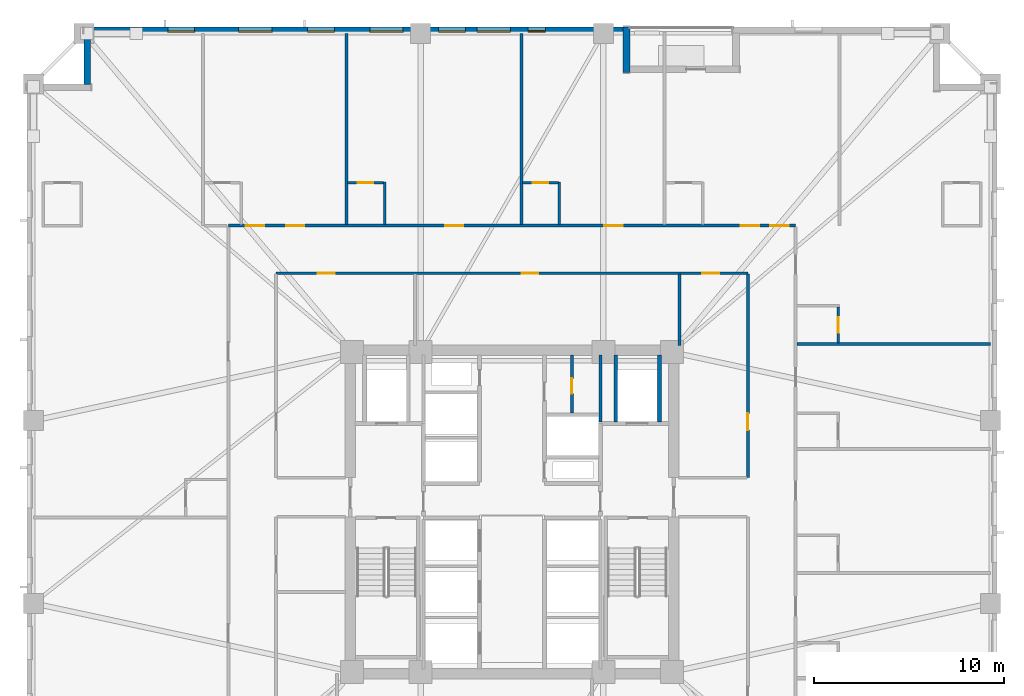
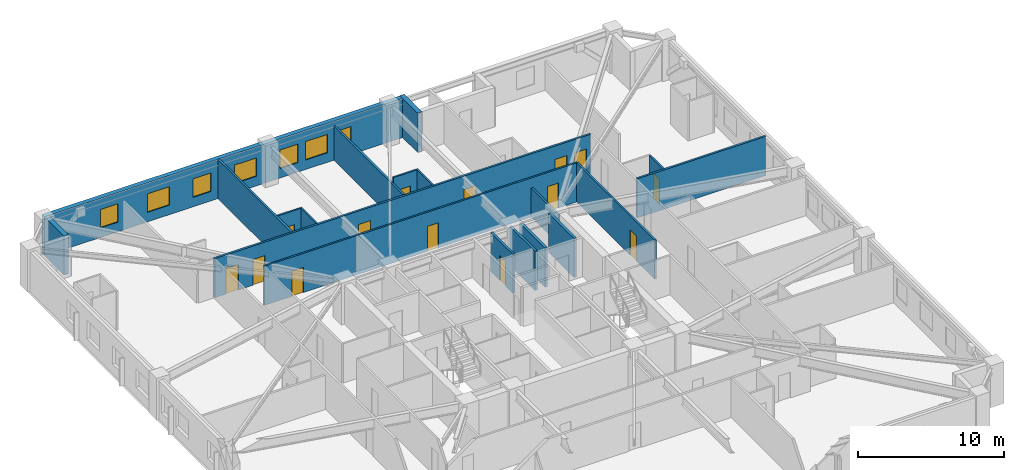
# One storey, part 6 of 12: 19 walls, 14 doors, 7 windows, 21 openings.
"""IFC4 building model written with IfcOpenShell, lengths in metres."""

from ifc_helpers import new_model, si_unit, direction, frame, frame_2d, origin, place, context, subcontext, project, spatial, rectangle, extrude, material, layer, layer_set, type_object, element, fill, save


model = new_model("IFC4")

# Units and contexts
model_context = context("Model", 3, precision=1e-05, world=origin(), true_north=direction((0.0, 1.0)))
body_context = subcontext(model_context, "Body", "Model", "MODEL_VIEW")
ifc_project = project(units=[si_unit("LENGTHUNIT", "METRE"), si_unit("AREAUNIT", "SQUARE_METRE"), si_unit("VOLUMEUNIT", "CUBIC_METRE"), si_unit("PLANEANGLEUNIT", "RADIAN"), si_unit("MASSUNIT", "GRAM", prefix="KILO")], contexts=[model_context])

# Site, building, storey
site_placement = place(None, origin())
site = spatial("IfcSite", under=ifc_project, at=site_placement, CompositionType="ELEMENT")
building_placement = place(site_placement, origin())
building = spatial("IfcBuilding", under=site, at=building_placement, Name="Cairnveth Concourse Tower", CompositionType="ELEMENT")
storey_placement = place(building_placement, frame((0.0, 0.0, 90.0)))
storey = spatial("IfcBuildingStorey", under=building, at=storey_placement, Name="L24", CompositionType="ELEMENT", Elevation=90.0)

# Wall, opening, door
ifc_material_1 = material(Name="Gypsum Plasterboard Partition", Category="gypsum")
ifc_layer_1 = layer(ifc_material_1, 0.159912109375)
ifc_layer_set_1 = layer_set([ifc_layer_1], Name="Gypsum Plasterboard Partition")
wall_type_1 = type_object("IfcWallType", Name="ACOUSTIC PARTY WALL 180", PredefinedType="PARTITIONING", material=ifc_layer_set_1)
wall_1_placement = place(storey_placement, frame((55.14990234375, 44.195068359375, 0.0), z_axis=(0.0, 0.0, 1.0), x_axis=(0.0, 1.0, 0.0)))
wall_1 = element("IfcWall", 1, at=wall_1_placement, inside=storey, type_object=wall_type_1, Name="Interior Wall IW-L24-037", PredefinedType="PARTITIONING", context=body_context, shape_type="SweptSolid", body=[
    extrude(rectangle(XDim=3.044921875, YDim=0.159912109375, at=frame_2d((1.5224609375, 0.0))), origin(), (0.0, 0.0, 1.0), 3.280029296875),
])
opening_1_placement = place(wall_1_placement, frame((1.02490234375, 0.0, 0.0)))
opening_1 = element("IfcOpeningElement", 2, at=opening_1_placement, cuts=wall_1, Name="Opening ID23", PredefinedType="OPENING", context=body_context, shape_type="SweptSolid", body=[
    extrude(rectangle(XDim=0.800048828125, YDim=2.10009765625, at=frame_2d((0.39990234375, 1.050048828125))), frame((0.0, 0.08984375, 0.0), z_axis=(0.0, -1.0, 0.0), x_axis=(1.0, 0.0, 0.0)), (0.0, 0.0, 1.0), 0.179931640625),
])
ifc_material_2 = material(Name="Steel Grade 350", Category="steel")
door_type_1 = type_object("IfcDoorType", Name="CORE SERVICE DOOR 800X2100", OperationType="NOTDEFINED", PredefinedType="DOOR", material=ifc_material_2)
door_1_placement = place(opening_1_placement, origin())
door_1 = element("IfcDoor", 3, at=door_1_placement, inside=storey, type_object=door_type_1, Name="NE Linen Closet Door L24", OperationType="SINGLE_SWING_LEFT", OverallHeight=2.10009765625, OverallWidth=0.800048828125, PredefinedType="DOOR", context=body_context, shape_type="SweptSolid", body=[
    extrude(rectangle(XDim=0.800048828125, YDim=2.10009765625, at=frame_2d((0.39990234375, 1.050048828125))), frame((0.0, 0.02490234375, 0.0), z_axis=(0.0, -1.0, 0.0), x_axis=(1.0, 0.0, 0.0)), (0.0, 0.0, 1.0), 0.050048828125),
])
fill(opening_1, door_1)

# Wall, openings, doors
wall_2_placement = place(storey_placement, frame((37.10009765625, 54.050048828125, 0.0), z_axis=(0.0, 0.0, 1.0), x_axis=(1.0, 0.0, 0.0)))
wall_2 = element("IfcWall", 4, at=wall_2_placement, inside=storey, type_object=wall_type_1, Name="Interior Wall IW-L24-039", PredefinedType="PARTITIONING", context=body_context, shape_type="SweptSolid", body=[
    extrude(rectangle(XDim=29.7998046875, YDim=0.159912109375, at=frame_2d((14.89990234375, 0.0))), origin(), (0.0, 0.0, 1.0), 3.280029296875),
])
opening_2_placement = place(wall_2_placement, frame((0.909912109375, 0.0, 0.0)))
opening_2 = element("IfcOpeningElement", 5, at=opening_2_placement, cuts=wall_2, Name="Opening ID09", PredefinedType="OPENING", context=body_context, shape_type="SweptSolid", body=[
    extrude(rectangle(XDim=0.9599609375, YDim=2.14990234375, at=frame_2d((0.47998046875, 1.074951171875))), frame((0.0, 0.08984375, 0.0), z_axis=(0.0, -1.0, 0.0), x_axis=(1.0, 0.0, 0.0)), (0.0, 0.0, 1.0), 0.179931640625),
])
opening_3_placement = place(wall_2_placement, frame((3.030029296875, 0.0, 0.0)))
opening_3 = element("IfcOpeningElement", 6, at=opening_3_placement, cuts=wall_2, Name="Opening ID09", PredefinedType="OPENING", context=body_context, shape_type="SweptSolid", body=[
    extrude(rectangle(XDim=0.9599609375, YDim=2.14990234375, at=frame_2d((0.47998046875, 1.074951171875))), frame((0.0, 0.08984375, 0.0), z_axis=(0.0, -1.0, 0.0), x_axis=(1.0, 0.0, 0.0)), (0.0, 0.0, 1.0), 0.179931640625),
])
opening_4_placement = place(wall_2_placement, frame((11.389892578125, 0.0, 0.0)))
opening_4 = element("IfcOpeningElement", 7, at=opening_4_placement, cuts=wall_2, Name="Opening ID09", PredefinedType="OPENING", context=body_context, shape_type="SweptSolid", body=[
    extrude(rectangle(XDim=0.9599609375, YDim=2.14990234375, at=frame_2d((0.47998046875, 1.074951171875))), frame((0.0, 0.08984375, 0.0), z_axis=(0.0, -1.0, 0.0), x_axis=(1.0, 0.0, 0.0)), (0.0, 0.0, 1.0), 0.179931640625),
])
opening_5_placement = place(wall_2_placement, frame((19.75, 0.0, 0.0)))
opening_5 = element("IfcOpeningElement", 8, at=opening_5_placement, cuts=wall_2, Name="Opening ID09", PredefinedType="OPENING", context=body_context, shape_type="SweptSolid", body=[
    extrude(rectangle(XDim=0.9599609375, YDim=2.14990234375, at=frame_2d((0.47998046875, 1.074951171875))), frame((0.0, 0.08984375, 0.0), z_axis=(0.0, -1.0, 0.0), x_axis=(1.0, 0.0, 0.0)), (0.0, 0.0, 1.0), 0.179931640625),
])
opening_6_placement = place(wall_2_placement, frame((26.931396484375, 0.0, 0.0)))
opening_6 = element("IfcOpeningElement", 9, at=opening_6_placement, cuts=wall_2, Name="Opening ID09", PredefinedType="OPENING", context=body_context, shape_type="SweptSolid", body=[
    extrude(rectangle(XDim=0.9599609375, YDim=2.14990234375, at=frame_2d((0.47998046875, 1.074951171875))), frame((0.0, 0.08984375, 0.0), z_axis=(0.0, -1.0, 0.0), x_axis=(1.0, 0.0, 0.0)), (0.0, 0.0, 1.0), 0.179931640625),
])
opening_7_placement = place(wall_2_placement, frame((28.47998046875, 0.0, 0.0)))
opening_7 = element("IfcOpeningElement", 10, at=opening_7_placement, cuts=wall_2, Name="Opening ID09", PredefinedType="OPENING", context=body_context, shape_type="SweptSolid", body=[
    extrude(rectangle(XDim=0.9599609375, YDim=2.14990234375, at=frame_2d((0.47998046875, 1.074951171875))), frame((0.0, 0.08984375, 0.0), z_axis=(0.0, -1.0, 0.0), x_axis=(1.0, 0.0, 0.0)), (0.0, 0.0, 1.0), 0.179931640625),
])
ifc_material_3 = material(Name="Solid Core Hardwood Timber Leaf", Category="wood")
door_type_2 = type_object("IfcDoorType", Name="HOTEL ENTRANCE DOOR 960X2150", OperationType="NOTDEFINED", PredefinedType="DOOR", material=ifc_material_3)
door_2_placement = place(opening_2_placement, origin())
door_2 = element("IfcDoor", 11, at=door_2_placement, inside=storey, type_object=door_type_2, Name="Hotel Room Door L24-N1", OperationType="SINGLE_SWING_RIGHT", OverallHeight=2.14990234375, OverallWidth=0.9599609375, PredefinedType="DOOR", context=body_context, shape_type="SweptSolid", body=[
    extrude(rectangle(XDim=0.9599609375, YDim=2.14990234375, at=frame_2d((0.47998046875, 1.074951171875))), frame((0.0, 0.02490234375, 0.0), z_axis=(0.0, -1.0, 0.0), x_axis=(1.0, 0.0, 0.0)), (0.0, 0.0, 1.0), 0.050048828125),
])
fill(opening_2, door_2)
door_3_placement = place(opening_3_placement, origin())
door_3 = element("IfcDoor", 12, at=door_3_placement, inside=storey, type_object=door_type_2, Name="Hotel Room Door L24-N2", OperationType="SINGLE_SWING_RIGHT", OverallHeight=2.14990234375, OverallWidth=0.9599609375, PredefinedType="DOOR", context=body_context, shape_type="SweptSolid", body=[
    extrude(rectangle(XDim=0.9599609375, YDim=2.14990234375, at=frame_2d((0.47998046875, 1.074951171875))), frame((0.0, 0.02490234375, 0.0), z_axis=(0.0, -1.0, 0.0), x_axis=(1.0, 0.0, 0.0)), (0.0, 0.0, 1.0), 0.050048828125),
])
fill(opening_3, door_3)
door_4_placement = place(opening_4_placement, origin())
door_4 = element("IfcDoor", 13, at=door_4_placement, inside=storey, type_object=door_type_2, Name="Hotel Room Door L24-N3", OperationType="SINGLE_SWING_RIGHT", OverallHeight=2.14990234375, OverallWidth=0.9599609375, PredefinedType="DOOR", context=body_context, shape_type="SweptSolid", body=[
    extrude(rectangle(XDim=0.9599609375, YDim=2.14990234375, at=frame_2d((0.47998046875, 1.074951171875))), frame((0.0, 0.02490234375, 0.0), z_axis=(0.0, -1.0, 0.0), x_axis=(1.0, 0.0, 0.0)), (0.0, 0.0, 1.0), 0.050048828125),
])
fill(opening_4, door_4)
door_5_placement = place(opening_5_placement, origin())
door_5 = element("IfcDoor", 14, at=door_5_placement, inside=storey, type_object=door_type_2, Name="Hotel Room Door L24-N4", OperationType="SINGLE_SWING_RIGHT", OverallHeight=2.14990234375, OverallWidth=0.9599609375, PredefinedType="DOOR", context=body_context, shape_type="SweptSolid", body=[
    extrude(rectangle(XDim=0.9599609375, YDim=2.14990234375, at=frame_2d((0.47998046875, 1.074951171875))), frame((0.0, 0.02490234375, 0.0), z_axis=(0.0, -1.0, 0.0), x_axis=(1.0, 0.0, 0.0)), (0.0, 0.0, 1.0), 0.050048828125),
])
fill(opening_5, door_5)
door_6_placement = place(opening_6_placement, origin())
door_6 = element("IfcDoor", 15, at=door_6_placement, inside=storey, type_object=door_type_2, Name="Hotel Room Door L24-N5", OperationType="SINGLE_SWING_RIGHT", OverallHeight=2.14990234375, OverallWidth=0.9599609375, PredefinedType="DOOR", context=body_context, shape_type="SweptSolid", body=[
    extrude(rectangle(XDim=0.9599609375, YDim=2.14990234375, at=frame_2d((0.47998046875, 1.074951171875))), frame((0.0, 0.02490234375, 0.0), z_axis=(0.0, -1.0, 0.0), x_axis=(1.0, 0.0, 0.0)), (0.0, 0.0, 1.0), 0.050048828125),
])
fill(opening_6, door_6)
door_7_placement = place(opening_7_placement, origin())
door_7 = element("IfcDoor", 16, at=door_7_placement, inside=storey, type_object=door_type_2, Name="Hotel Room Door L24-N6", OperationType="SINGLE_SWING_RIGHT", OverallHeight=2.14990234375, OverallWidth=0.9599609375, PredefinedType="DOOR", context=body_context, shape_type="SweptSolid", body=[
    extrude(rectangle(XDim=0.9599609375, YDim=2.14990234375, at=frame_2d((0.47998046875, 1.074951171875))), frame((0.0, 0.02490234375, 0.0), z_axis=(0.0, -1.0, 0.0), x_axis=(1.0, 0.0, 0.0)), (0.0, 0.0, 1.0), 0.050048828125),
])
fill(opening_7, door_7)

# Walls
wall_3_placement = place(storey_placement, frame((43.302490234375, 54.114990234375, 0.0), z_axis=(0.0, 0.0, 1.0), x_axis=(0.0, 1.0, 0.0)))
element("IfcWall", 17, at=wall_3_placement, inside=storey, type_object=wall_type_1, Name="Interior Wall IW-L24-075", PredefinedType="PARTITIONING", context=body_context, shape_type="SweptSolid", body=[
    extrude(rectangle(XDim=10.0400390625, YDim=0.159912109375, at=frame_2d((5.02001953125, 0.0))), origin(), (0.0, 0.0, 1.0), 3.280029296875),
])
wall_4_placement = place(storey_placement, frame((52.487548828125, 54.114990234375, 0.0), z_axis=(0.0, 0.0, 1.0), x_axis=(0.0, 1.0, 0.0)))
element("IfcWall", 18, at=wall_4_placement, inside=storey, type_object=wall_type_1, Name="Interior Wall IW-L24-078", PredefinedType="PARTITIONING", context=body_context, shape_type="SweptSolid", body=[
    extrude(rectangle(XDim=10.0400390625, YDim=0.159912109375, at=frame_2d((5.02001953125, 0.0))), origin(), (0.0, 0.0, 1.0), 2.84912109375),
])
wall_5_placement = place(storey_placement, frame((66.965087890625, 47.827392578125, 0.0), z_axis=(0.0, 0.0, 1.0), x_axis=(1.0, 0.0, 0.0)))
element("IfcWall", 19, at=wall_5_placement, inside=storey, type_object=wall_type_1, Name="Interior Wall IW-L24-107", PredefinedType="PARTITIONING", context=body_context, shape_type="SweptSolid", body=[
    extrude(rectangle(XDim=10.18994140625, YDim=0.159912109375, at=frame_2d((5.094970703125, 0.0))), origin(), (0.0, 0.0, 1.0), 3.280029296875),
])
ifc_material_4 = material(Name="Concrete N50 (50 MPa)", Category="concrete")
ifc_layer_2 = layer(ifc_material_4, 0.179931640625)
ifc_layer_set_2 = layer_set([ifc_layer_2], Name="Concrete N50 (50 MPa)")
wall_type_2 = type_object("IfcWallType", Name="FIRE SHAFT WALL 180", PredefinedType="SOLIDWALL", material=ifc_layer_set_2)
wall_6_placement = place(storey_placement, frame((56.64990234375, 43.735107421875, 0.0), z_axis=(0.0, 0.0, 1.0), x_axis=(0.0, 1.0, 0.0)))
element("IfcWall", 20, at=wall_6_placement, inside=storey, type_object=wall_type_2, Name="Interior Wall IW-L24-034", PredefinedType="SOLIDWALL", context=body_context, shape_type="SweptSolid", body=[
    extrude(rectangle(XDim=3.5048828125, YDim=0.179931640625, at=frame_2d((1.75244140625, 0.0))), origin(), (0.0, 0.0, 1.0), 3.280029296875),
])
ifc_layer_3 = layer(ifc_material_4, 0.199951171875)
ifc_layer_set_3 = layer_set([ifc_layer_3], Name="Concrete N50 (50 MPa)")
wall_type_3 = type_object("IfcWallType", Name="FIRE SHAFT WALL 200", PredefinedType="SOLIDWALL", material=ifc_layer_set_3)
for number, where, z_axis, x_axis, name in (
    (21, (57.449951171875, 43.735107421875, 0.0), (0.0, 0.0, 1.0), (0.0, 1.0, 0.0), "Interior Wall IW-L24-023"),
    (22, (59.75, 43.735107421875, 0.0), (0.0, 0.0, 1.0), (0.0, 1.0, 0.0), "Interior Wall IW-L24-024"),
):
    element("IfcWall", number, at=place(storey_placement, frame(where, z_axis=z_axis, x_axis=x_axis)), inside=storey, type_object=wall_type_3, Name=name, PredefinedType="SOLIDWALL", context=body_context, shape_type="SweptSolid", body=[
        extrude(rectangle(XDim=3.5048828125, YDim=0.199951171875, at=frame_2d((1.75244140625, 0.0))), origin(), (0.0, 0.0, 1.0), 3.280029296875),
    ])

# Wall, openings, doors
ifc_layer_4 = layer(ifc_material_1, 0.139892578125)
ifc_layer_set_4 = layer_set([ifc_layer_4], Name="Gypsum Plasterboard Partition")
wall_type_4 = type_object("IfcWallType", Name="GYPSUM STUD PARTITION 140", PredefinedType="PARTITIONING", material=ifc_layer_set_4)
wall_7_placement = place(storey_placement, frame((39.60009765625, 51.550048828125, 0.0), z_axis=(0.0, 0.0, 1.0), x_axis=(1.0, 0.0, 0.0)))
wall_7 = element("IfcWall", 23, at=wall_7_placement, inside=storey, type_object=wall_type_4, Name="Interior Wall IW-L24-043", PredefinedType="PARTITIONING", context=body_context, shape_type="SweptSolid", body=[
    extrude(rectangle(XDim=24.7998046875, YDim=0.139892578125, at=frame_2d((12.39990234375, 0.0))), origin(), (0.0, 0.0, 1.0), 3.280029296875),
])
opening_8_placement = place(wall_7_placement, frame((2.199951171875, 0.0, 0.0)))
opening_8 = element("IfcOpeningElement", 24, at=opening_8_placement, cuts=wall_7, Name="Opening ID18", PredefinedType="OPENING", context=body_context, shape_type="SweptSolid", body=[
    extrude(rectangle(XDim=0.8798828125, YDim=2.10009765625, at=frame_2d((0.43994140625, 1.050048828125))), frame((0.0, 0.079833984375, 0.0), z_axis=(0.0, -1.0, 0.0), x_axis=(1.0, 0.0, 0.0)), (0.0, 0.0, 1.0), 0.159912109375),
])
opening_9_placement = place(wall_7_placement, frame((12.89990234375, 0.0, 0.0)))
opening_9 = element("IfcOpeningElement", 25, at=opening_9_placement, cuts=wall_7, Name="Opening ID18", PredefinedType="OPENING", context=body_context, shape_type="SweptSolid", body=[
    extrude(rectangle(XDim=0.8798828125, YDim=2.10009765625, at=frame_2d((0.43994140625, 1.050048828125))), frame((0.0, 0.079833984375, 0.0), z_axis=(0.0, -1.0, 0.0), x_axis=(1.0, 0.0, 0.0)), (0.0, 0.0, 1.0), 0.159912109375),
])
opening_10_placement = place(wall_7_placement, frame((22.39990234375, 0.0, 0.0)))
opening_10 = element("IfcOpeningElement", 26, at=opening_10_placement, cuts=wall_7, Name="Opening ID18", PredefinedType="OPENING", context=body_context, shape_type="SweptSolid", body=[
    extrude(rectangle(XDim=0.8798828125, YDim=2.10009765625, at=frame_2d((0.43994140625, 1.050048828125))), frame((0.0, 0.079833984375, 0.0), z_axis=(0.0, -1.0, 0.0), x_axis=(1.0, 0.0, 0.0)), (0.0, 0.0, 1.0), 0.159912109375),
])
door_type_3 = type_object("IfcDoorType", Name="INTERIOR SINGLE DOOR 880X2100", OperationType="NOTDEFINED", PredefinedType="DOOR", material=ifc_material_3)
door_8_placement = place(opening_8_placement, origin())
door_8 = element("IfcDoor", 27, at=door_8_placement, inside=storey, type_object=door_type_3, Name="Interior Door DR-L24-017", OperationType="SINGLE_SWING_LEFT", OverallHeight=2.10009765625, OverallWidth=0.8798828125, PredefinedType="DOOR", context=body_context, shape_type="SweptSolid", body=[
    extrude(rectangle(XDim=0.8798828125, YDim=2.10009765625, at=frame_2d((0.43994140625, 1.050048828125))), frame((0.0, 0.02490234375, 0.0), z_axis=(0.0, -1.0, 0.0), x_axis=(1.0, 0.0, 0.0)), (0.0, 0.0, 1.0), 0.050048828125),
])
fill(opening_8, door_8)
door_9_placement = place(opening_9_placement, origin())
door_9 = element("IfcDoor", 28, at=door_9_placement, inside=storey, type_object=door_type_3, Name="Interior Door DR-L24-018", OperationType="SINGLE_SWING_RIGHT", OverallHeight=2.10009765625, OverallWidth=0.8798828125, PredefinedType="DOOR", context=body_context, shape_type="SweptSolid", body=[
    extrude(rectangle(XDim=0.8798828125, YDim=2.10009765625, at=frame_2d((0.43994140625, 1.050048828125))), frame((0.0, 0.02490234375, 0.0), z_axis=(0.0, -1.0, 0.0), x_axis=(1.0, 0.0, 0.0)), (0.0, 0.0, 1.0), 0.050048828125),
])
fill(opening_9, door_9)
door_10_placement = place(opening_10_placement, origin())
door_10 = element("IfcDoor", 29, at=door_10_placement, inside=storey, type_object=door_type_3, Name="Interior Door DR-L24-019", OperationType="SINGLE_SWING_LEFT", OverallHeight=2.10009765625, OverallWidth=0.8798828125, PredefinedType="DOOR", context=body_context, shape_type="SweptSolid", body=[
    extrude(rectangle(XDim=0.8798828125, YDim=2.10009765625, at=frame_2d((0.43994140625, 1.050048828125))), frame((0.0, 0.02490234375, 0.0), z_axis=(0.0, -1.0, 0.0), x_axis=(1.0, 0.0, 0.0)), (0.0, 0.0, 1.0), 0.050048828125),
])
fill(opening_10, door_10)

# Wall, opening, door
wall_8_placement = place(storey_placement, frame((64.39990234375, 40.800048828125, 0.0), z_axis=(0.0, 0.0, 1.0), x_axis=(0.0, 1.0, 0.0)))
wall_8 = element("IfcWall", 30, at=wall_8_placement, inside=storey, type_object=wall_type_4, Name="Interior Wall IW-L24-049", PredefinedType="PARTITIONING", context=body_context, shape_type="SweptSolid", body=[
    extrude(rectangle(XDim=10.695068359375, YDim=0.139892578125, at=frame_2d((5.34765625, 0.0))), origin(), (0.0, 0.0, 1.0), 3.280029296875),
])
opening_11_placement = place(wall_8_placement, frame((2.5, 0.0, 0.0)))
opening_11 = element("IfcOpeningElement", 31, at=opening_11_placement, cuts=wall_8, Name="Opening ID18", PredefinedType="OPENING", context=body_context, shape_type="SweptSolid", body=[
    extrude(rectangle(XDim=0.8798828125, YDim=2.10009765625, at=frame_2d((0.43994140625, 1.050048828125))), frame((0.0, 0.079833984375, 0.0), z_axis=(0.0, -1.0, 0.0), x_axis=(1.0, 0.0, 0.0)), (0.0, 0.0, 1.0), 0.159912109375),
])
door_11_placement = place(opening_11_placement, origin())
door_11 = element("IfcDoor", 32, at=door_11_placement, inside=storey, type_object=door_type_3, Name="Interior Door DR-L24-024", OperationType="SINGLE_SWING_RIGHT", OverallHeight=2.10009765625, OverallWidth=0.8798828125, PredefinedType="DOOR", context=body_context, shape_type="SweptSolid", body=[
    extrude(rectangle(XDim=0.8798828125, YDim=2.10009765625, at=frame_2d((0.43994140625, 1.050048828125))), frame((0.0, 0.02490234375, 0.0), z_axis=(0.0, -1.0, 0.0), x_axis=(1.0, 0.0, 0.0)), (0.0, 0.0, 1.0), 0.050048828125),
])
fill(opening_11, door_11)

# Walls
wall_9_placement = place(storey_placement, frame((60.800048828125, 47.760009765625, 0.0), z_axis=(0.0, 0.0, 1.0), x_axis=(0.0, 1.0, 0.0)))
element("IfcWall", 33, at=wall_9_placement, inside=storey, type_object=wall_type_4, Name="Interior Wall IW-L24-055", PredefinedType="PARTITIONING", context=body_context, shape_type="SweptSolid", body=[
    extrude(rectangle(XDim=3.735107421875, YDim=0.139892578125, at=frame_2d((1.86767578125, 0.0))), origin(), (0.0, 0.0, 1.0), 2.43896484375),
])
ifc_layer_5 = layer(ifc_material_1, 0.1298828125)
ifc_layer_set_5 = layer_set([ifc_layer_5], Name="Gypsum Plasterboard Partition")
wall_type_5 = type_object("IfcWallType", Name="WET AREA PARTITION 140", PredefinedType="PLUMBINGWALL", material=ifc_layer_set_5)
wall_10_placement = place(storey_placement, frame((45.302490234375, 54.114990234375, 0.0), z_axis=(0.0, 0.0, 1.0), x_axis=(0.0, 1.0, 0.0)))
element("IfcWall", 34, at=wall_10_placement, inside=storey, type_object=wall_type_5, Name="Interior Wall IW-L24-076", PredefinedType="PLUMBINGWALL", context=body_context, shape_type="SweptSolid", body=[
    extrude(rectangle(XDim=2.235107421875, YDim=0.1298828125, at=frame_2d((1.11767578125, 0.0))), origin(), (0.0, 0.0, 1.0), 3.280029296875),
])

# Wall, opening, door
wall_11_placement = place(storey_placement, frame((43.367431640625, 56.300048828125, 0.0), z_axis=(0.0, 0.0, 1.0), x_axis=(1.0, 0.0, 0.0)))
wall_11 = element("IfcWall", 35, at=wall_11_placement, inside=storey, type_object=wall_type_5, Name="Interior Wall IW-L24-077", PredefinedType="PLUMBINGWALL", context=body_context, shape_type="SweptSolid", body=[
    extrude(rectangle(XDim=1.885009765625, YDim=0.1298828125, at=frame_2d((0.9423828125, 0.0))), origin(), (0.0, 0.0, 1.0), 3.280029296875),
])
opening_12_placement = place(wall_11_placement, frame((0.52490234375, 0.0, 0.0)))
opening_12 = element("IfcOpeningElement", 36, at=opening_12_placement, cuts=wall_11, Name="Opening ID22", PredefinedType="OPENING", context=body_context, shape_type="SweptSolid", body=[
    extrude(rectangle(XDim=0.820068359375, YDim=2.10009765625, at=frame_2d((0.41015625, 1.050048828125))), frame((0.0, 0.074951171875, 0.0), z_axis=(0.0, -1.0, 0.0), x_axis=(1.0, 0.0, 0.0)), (0.0, 0.0, 1.0), 0.14990234375),
])
door_type_4 = type_object("IfcDoorType", Name="INTERIOR WC DOOR 820X2100", OperationType="NOTDEFINED", PredefinedType="DOOR", material=ifc_material_3)
door_12_placement = place(opening_12_placement, origin())
door_12 = element("IfcDoor", 37, at=door_12_placement, inside=storey, type_object=door_type_4, Name="En-Suite Door L24-N3", OperationType="SINGLE_SWING_LEFT", OverallHeight=2.10009765625, OverallWidth=0.820068359375, PredefinedType="DOOR", context=body_context, shape_type="SweptSolid", body=[
    extrude(rectangle(XDim=0.820068359375, YDim=2.10009765625, at=frame_2d((0.41015625, 1.050048828125))), frame((0.0, 0.02490234375, 0.0), z_axis=(0.0, -1.0, 0.0), x_axis=(1.0, 0.0, 0.0)), (0.0, 0.0, 1.0), 0.050048828125),
])
fill(opening_12, door_12)

# Wall
wall_12_placement = place(storey_placement, frame((54.487548828125, 54.114990234375, 0.0), z_axis=(0.0, 0.0, 1.0), x_axis=(0.0, 1.0, 0.0)))
element("IfcWall", 38, at=wall_12_placement, inside=storey, type_object=wall_type_5, Name="Interior Wall IW-L24-079", PredefinedType="PLUMBINGWALL", context=body_context, shape_type="SweptSolid", body=[
    extrude(rectangle(XDim=2.235107421875, YDim=0.1298828125, at=frame_2d((1.11767578125, 0.0))), origin(), (0.0, 0.0, 1.0), 3.280029296875),
])

# Wall, opening, door
wall_13_placement = place(storey_placement, frame((52.552490234375, 56.300048828125, 0.0), z_axis=(0.0, 0.0, 1.0), x_axis=(1.0, 0.0, 0.0)))
wall_13 = element("IfcWall", 39, at=wall_13_placement, inside=storey, type_object=wall_type_5, Name="Interior Wall IW-L24-080", PredefinedType="PLUMBINGWALL", context=body_context, shape_type="SweptSolid", body=[
    extrude(rectangle(XDim=1.885009765625, YDim=0.1298828125, at=frame_2d((0.9423828125, 0.0))), origin(), (0.0, 0.0, 1.0), 3.280029296875),
])
opening_13_placement = place(wall_13_placement, frame((0.52490234375, 0.0, 0.0)))
opening_13 = element("IfcOpeningElement", 40, at=opening_13_placement, cuts=wall_13, Name="Opening ID22", PredefinedType="OPENING", context=body_context, shape_type="SweptSolid", body=[
    extrude(rectangle(XDim=0.820068359375, YDim=2.10009765625, at=frame_2d((0.41015625, 1.050048828125))), frame((0.0, 0.074951171875, 0.0), z_axis=(0.0, -1.0, 0.0), x_axis=(1.0, 0.0, 0.0)), (0.0, 0.0, 1.0), 0.14990234375),
])
door_13_placement = place(opening_13_placement, origin())
door_13 = element("IfcDoor", 41, at=door_13_placement, inside=storey, type_object=door_type_4, Name="En-Suite Door L24-N4", OperationType="SINGLE_SWING_LEFT", OverallHeight=2.10009765625, OverallWidth=0.820068359375, PredefinedType="DOOR", context=body_context, shape_type="SweptSolid", body=[
    extrude(rectangle(XDim=0.820068359375, YDim=2.10009765625, at=frame_2d((0.41015625, 1.050048828125))), frame((0.0, 0.02490234375, 0.0), z_axis=(0.0, -1.0, 0.0), x_axis=(1.0, 0.0, 0.0)), (0.0, 0.0, 1.0), 0.050048828125),
])
fill(opening_13, door_13)

wall_14_placement = place(storey_placement, frame((69.14990234375, 47.892578125, 0.0), z_axis=(0.0, 0.0, 1.0), x_axis=(0.0, 1.0, 0.0)))
wall_14 = element("IfcWall", 42, at=wall_14_placement, inside=storey, type_object=wall_type_5, Name="Interior Wall IW-L24-109", PredefinedType="PLUMBINGWALL", context=body_context, shape_type="SweptSolid", body=[
    extrude(rectangle(XDim=1.885009765625, YDim=0.1298828125, at=frame_2d((0.9423828125, 0.0))), origin(), (0.0, 0.0, 1.0), 3.280029296875),
])
opening_14_placement = place(wall_14_placement, frame((0.52490234375, 0.0, 0.0)))
opening_14 = element("IfcOpeningElement", 43, at=opening_14_placement, cuts=wall_14, Name="Opening ID22", PredefinedType="OPENING", context=body_context, shape_type="SweptSolid", body=[
    extrude(rectangle(XDim=0.820068359375, YDim=2.10009765625, at=frame_2d((0.41015625, 1.050048828125))), frame((0.0, 0.074951171875, 0.0), z_axis=(0.0, -1.0, 0.0), x_axis=(1.0, 0.0, 0.0)), (0.0, 0.0, 1.0), 0.14990234375),
])
door_14_placement = place(opening_14_placement, origin())
door_14 = element("IfcDoor", 44, at=door_14_placement, inside=storey, type_object=door_type_4, Name="En-Suite Door L24-E5", OperationType="SINGLE_SWING_LEFT", OverallHeight=2.10009765625, OverallWidth=0.820068359375, PredefinedType="DOOR", context=body_context, shape_type="SweptSolid", body=[
    extrude(rectangle(XDim=0.820068359375, YDim=2.10009765625, at=frame_2d((0.41015625, 1.050048828125))), frame((0.0, 0.02490234375, 0.0), z_axis=(0.0, -1.0, 0.0), x_axis=(1.0, 0.0, 0.0)), (0.0, 0.0, 1.0), 0.050048828125),
])
fill(opening_14, door_14)

# Wall
ifc_material_5 = material(Name="Hawthorn Red-Ochre Fired Clay Brick Masonry", Category="masonry")
ifc_layer_6 = layer(ifc_material_5, 0.360107421875)
ifc_layer_set_6 = layer_set([ifc_layer_6], Name="Hawthorn Red-Ochre Fired Clay Brick Masonry")
wall_type_6 = type_object("IfcWallType", Name="ZONE 1 BRICK PIER SPANDREL WALL 360", PredefinedType="SOLIDWALL", material=ifc_layer_set_6)
wall_15_placement = place(storey_placement, frame((29.679931640625, 61.47802734375, 0.0), z_axis=(0.0, 0.0, 1.0), x_axis=(0.0, 1.0, 0.0)))
element("IfcWall", 45, at=wall_15_placement, inside=storey, type_object=wall_type_6, Name="Exterior Wall EW-L24-S11", PredefinedType="SOLIDWALL", context=body_context, shape_type="SweptSolid", body=[
    extrude(rectangle(XDim=2.68408203125, YDim=0.360107421875, at=frame_2d((1.342041015625, 0.0))), origin(), (0.0, 0.0, 1.0), 3.280029296875),
])

# Wall, openings, windows
wall_16_placement = place(storey_placement, frame((29.5, 64.320068359375, 0.0), z_axis=(0.0, 0.0, 1.0), x_axis=(1.0, 0.0, 0.0)))
wall_16 = element("IfcWall", 46, at=wall_16_placement, inside=storey, type_object=wall_type_6, Name="Exterior Wall EW-L24-S12", PredefinedType="SOLIDWALL", context=body_context, shape_type="SweptSolid", body=[
    extrude(rectangle(XDim=28.362060546875, YDim=0.360107421875, at=frame_2d((14.18115234375, 0.0))), origin(), (0.0, 0.0, 1.0), 3.280029296875),
])
opening_15_placement = place(wall_16_placement, frame((4.421875, 0.0, 0.800048828125)))
opening_15 = element("IfcOpeningElement", 47, at=opening_15_placement, cuts=wall_16, Name="Opening W05", PredefinedType="OPENING", context=body_context, shape_type="SweptSolid", body=[
    extrude(rectangle(XDim=1.39990234375, YDim=1.5439453125, at=frame_2d((0.699951171875, 0.77197265625))), frame((0.0, 0.18994140625, 0.0), z_axis=(0.0, -1.0, 0.0), x_axis=(1.0, 0.0, 0.0)), (0.0, 0.0, 1.0), 0.380126953125),
])
opening_16_placement = place(wall_16_placement, frame((8.140380859375, 0.0, 0.800048828125)))
opening_16 = element("IfcOpeningElement", 48, at=opening_16_placement, cuts=wall_16, Name="Opening W06", PredefinedType="OPENING", context=body_context, shape_type="SweptSolid", body=[
    extrude(rectangle(XDim=1.75, YDim=1.5439453125, at=frame_2d((0.875, 0.77197265625))), frame((0.0, 0.18994140625, 0.0), z_axis=(0.0, -1.0, 0.0), x_axis=(1.0, 0.0, 0.0)), (0.0, 0.0, 1.0), 0.380126953125),
])
opening_17_placement = place(wall_16_placement, frame((11.75927734375, 0.0, 0.800048828125)))
opening_17 = element("IfcOpeningElement", 49, at=opening_17_placement, cuts=wall_16, Name="Opening W05", PredefinedType="OPENING", context=body_context, shape_type="SweptSolid", body=[
    extrude(rectangle(XDim=1.39990234375, YDim=1.5439453125, at=frame_2d((0.699951171875, 0.77197265625))), frame((0.0, 0.18994140625, 0.0), z_axis=(0.0, -1.0, 0.0), x_axis=(1.0, 0.0, 0.0)), (0.0, 0.0, 1.0), 0.380126953125),
])
opening_18_placement = place(wall_16_placement, frame((15.02783203125, 0.0, 0.800048828125)))
opening_18 = element("IfcOpeningElement", 50, at=opening_18_placement, cuts=wall_16, Name="Opening W06", PredefinedType="OPENING", context=body_context, shape_type="SweptSolid", body=[
    extrude(rectangle(XDim=1.75, YDim=1.5439453125, at=frame_2d((0.875, 0.77197265625))), frame((0.0, 0.18994140625, 0.0), z_axis=(0.0, -1.0, 0.0), x_axis=(1.0, 0.0, 0.0)), (0.0, 0.0, 1.0), 0.380126953125),
])
opening_19_placement = place(wall_16_placement, frame((18.646484375, 0.0, 0.800048828125)))
opening_19 = element("IfcOpeningElement", 51, at=opening_19_placement, cuts=wall_16, Name="Opening W05", PredefinedType="OPENING", context=body_context, shape_type="SweptSolid", body=[
    extrude(rectangle(XDim=1.39990234375, YDim=1.5439453125, at=frame_2d((0.699951171875, 0.77197265625))), frame((0.0, 0.18994140625, 0.0), z_axis=(0.0, -1.0, 0.0), x_axis=(1.0, 0.0, 0.0)), (0.0, 0.0, 1.0), 0.380126953125),
])
opening_20_placement = place(wall_16_placement, frame((20.665283203125, 0.0, 0.800048828125)))
opening_20 = element("IfcOpeningElement", 52, at=opening_20_placement, cuts=wall_16, Name="Opening W06", PredefinedType="OPENING", context=body_context, shape_type="SweptSolid", body=[
    extrude(rectangle(XDim=1.75, YDim=1.5439453125, at=frame_2d((0.875, 0.77197265625))), frame((0.0, 0.18994140625, 0.0), z_axis=(0.0, -1.0, 0.0), x_axis=(1.0, 0.0, 0.0)), (0.0, 0.0, 1.0), 0.380126953125),
])
opening_21_placement = place(wall_16_placement, frame((23.35009765625, 0.0, 0.800048828125)))
opening_21 = element("IfcOpeningElement", 53, at=opening_21_placement, cuts=wall_16, Name="Opening W13", PredefinedType="OPENING", context=body_context, shape_type="SweptSolid", body=[
    extrude(rectangle(XDim=0.89990234375, YDim=1.5439453125, at=frame_2d((0.449951171875, 0.77197265625))), frame((0.0, 0.18994140625, 0.0), z_axis=(0.0, -1.0, 0.0), x_axis=(1.0, 0.0, 0.0)), (0.0, 0.0, 1.0), 0.380126953125),
])
ifc_material_6 = material(Name="Double Glazed Low-E Clear Glass", Category="glass")
window_type_1 = type_object("IfcWindowType", Name="DEEP-SET BEDROOM LANCET WINDOW 900X1750", PartitioningType="DOUBLE_PANEL_VERTICAL", PredefinedType="WINDOW", material=ifc_material_6)
window_1_placement = place(opening_21_placement, origin())
window_1 = element("IfcWindow", 54, at=window_1_placement, inside=storey, type_object=window_type_1, Name="Dwelling Lancet Window L24-DW1", OverallHeight=1.5439453125, OverallWidth=0.89990234375, PartitioningType="SINGLE_PANEL", PredefinedType="WINDOW", context=body_context, shape_type="SweptSolid", body=[
    extrude(rectangle(XDim=0.89990234375, YDim=1.5439453125, at=frame_2d((0.449951171875, 0.77197265625))), frame((0.0, -0.0400390625, 0.0), z_axis=(0.0, -1.0, 0.0), x_axis=(1.0, 0.0, 0.0)), (0.0, 0.0, 1.0), 0.06005859375),
])
fill(opening_21, window_1)
window_type_2 = type_object("IfcWindowType", Name="DEEP-SET HOTEL CASEMENT WINDOW 1400X1750", PartitioningType="DOUBLE_PANEL_VERTICAL", PredefinedType="WINDOW", material=ifc_material_6)
window_2_placement = place(opening_15_placement, origin())
window_2 = element("IfcWindow", 55, at=window_2_placement, inside=storey, type_object=window_type_2, Name="Gothic Lancet Window L24-12-1", OverallHeight=1.5439453125, OverallWidth=1.39990234375, PartitioningType="SINGLE_PANEL", PredefinedType="WINDOW", context=body_context, shape_type="SweptSolid", body=[
    extrude(rectangle(XDim=1.39990234375, YDim=1.5439453125, at=frame_2d((0.699951171875, 0.77197265625))), frame((0.0, -0.050048828125, 0.0), z_axis=(0.0, -1.0, 0.0), x_axis=(1.0, 0.0, 0.0)), (0.0, 0.0, 1.0), 0.06005859375),
])
fill(opening_15, window_2)
window_3_placement = place(opening_17_placement, origin())
window_3 = element("IfcWindow", 56, at=window_3_placement, inside=storey, type_object=window_type_2, Name="Gothic Lancet Window L24-12-3", OverallHeight=1.5439453125, OverallWidth=1.39990234375, PartitioningType="SINGLE_PANEL", PredefinedType="WINDOW", context=body_context, shape_type="SweptSolid", body=[
    extrude(rectangle(XDim=1.39990234375, YDim=1.5439453125, at=frame_2d((0.699951171875, 0.77197265625))), frame((0.0, -0.050048828125, 0.0), z_axis=(0.0, -1.0, 0.0), x_axis=(1.0, 0.0, 0.0)), (0.0, 0.0, 1.0), 0.06005859375),
])
fill(opening_17, window_3)
window_4_placement = place(opening_19_placement, origin())
window_4 = element("IfcWindow", 57, at=window_4_placement, inside=storey, type_object=window_type_2, Name="Gothic Lancet Window L24-12-5", OverallHeight=1.5439453125, OverallWidth=1.39990234375, PartitioningType="SINGLE_PANEL", PredefinedType="WINDOW", context=body_context, shape_type="SweptSolid", body=[
    extrude(rectangle(XDim=1.39990234375, YDim=1.5439453125, at=frame_2d((0.699951171875, 0.77197265625))), frame((0.0, -0.050048828125, 0.0), z_axis=(0.0, -1.0, 0.0), x_axis=(1.0, 0.0, 0.0)), (0.0, 0.0, 1.0), 0.06005859375),
])
fill(opening_19, window_4)
window_type_3 = type_object("IfcWindowType", Name="DEEP-SET HOTEL SUITE WINDOW 1750X1800", PartitioningType="DOUBLE_PANEL_VERTICAL", PredefinedType="WINDOW", material=ifc_material_6)
window_5_placement = place(opening_16_placement, origin())
window_5 = element("IfcWindow", 58, at=window_5_placement, inside=storey, type_object=window_type_3, Name="Gothic Lancet Window L24-12-2", OverallHeight=1.5439453125, OverallWidth=1.75, PartitioningType="SINGLE_PANEL", PredefinedType="WINDOW", context=body_context, shape_type="SweptSolid", body=[
    extrude(rectangle(XDim=1.75, YDim=1.5439453125, at=frame_2d((0.875, 0.77197265625))), frame((0.0, -0.050048828125, 0.0), z_axis=(0.0, -1.0, 0.0), x_axis=(1.0, 0.0, 0.0)), (0.0, 0.0, 1.0), 0.06005859375),
])
fill(opening_16, window_5)
window_6_placement = place(opening_18_placement, origin())
window_6 = element("IfcWindow", 59, at=window_6_placement, inside=storey, type_object=window_type_3, Name="Gothic Lancet Window L24-12-4", OverallHeight=1.5439453125, OverallWidth=1.75, PartitioningType="SINGLE_PANEL", PredefinedType="WINDOW", context=body_context, shape_type="SweptSolid", body=[
    extrude(rectangle(XDim=1.75, YDim=1.5439453125, at=frame_2d((0.875, 0.77197265625))), frame((0.0, -0.050048828125, 0.0), z_axis=(0.0, -1.0, 0.0), x_axis=(1.0, 0.0, 0.0)), (0.0, 0.0, 1.0), 0.06005859375),
])
fill(opening_18, window_6)
window_7_placement = place(opening_20_placement, origin())
window_7 = element("IfcWindow", 60, at=window_7_placement, inside=storey, type_object=window_type_3, Name="Gothic Lancet Window L24-12-6", OverallHeight=1.5439453125, OverallWidth=1.75, PartitioningType="SINGLE_PANEL", PredefinedType="WINDOW", context=body_context, shape_type="SweptSolid", body=[
    extrude(rectangle(XDim=1.75, YDim=1.5439453125, at=frame_2d((0.875, 0.77197265625))), frame((0.0, -0.050048828125, 0.0), z_axis=(0.0, -1.0, 0.0), x_axis=(1.0, 0.0, 0.0)), (0.0, 0.0, 1.0), 0.06005859375),
])
fill(opening_20, window_7)

# Wall
wall_17_placement = place(storey_placement, frame((58.02001953125, 64.5, 0.0), z_axis=(0.0, 0.0, 1.0), x_axis=(0.0, -1.0, 0.0)))
element("IfcWall", 61, at=wall_17_placement, inside=storey, type_object=wall_type_6, Name="Exterior Wall EW-L24-S13", PredefinedType="SOLIDWALL", context=body_context, shape_type="SweptSolid", body=[
    extrude(rectangle(XDim=2.409912109375, YDim=0.360107421875, at=frame_2d((1.205078125, 0.0))), origin(), (0.0, 0.0, 1.0), 3.280029296875),
])

save(model, "model.ifc")
